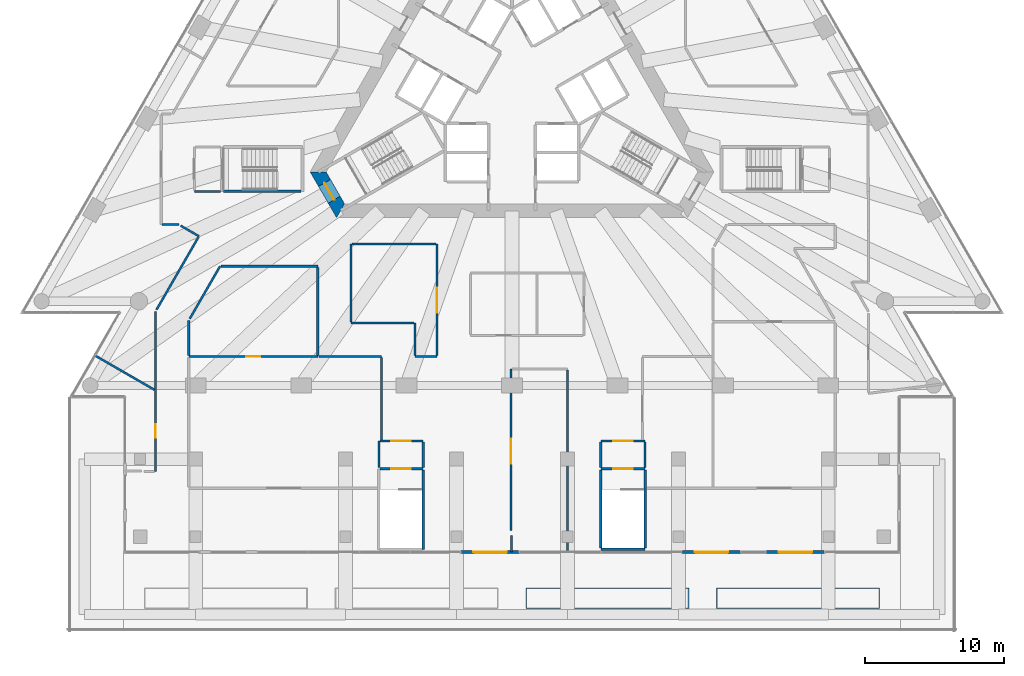
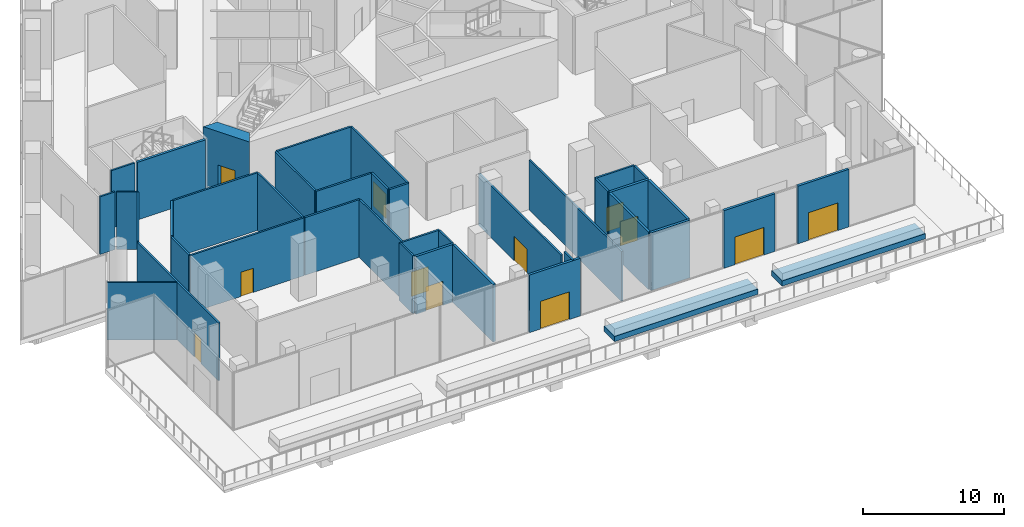
# One storey, part 21 of 29: 41 walls, 12 doors, 12 openings.
"""IFC4 building model written with IfcOpenShell, lengths in metres."""

from ifc_helpers import new_model, si_unit, direction, frame, frame_2d, origin, place, context, subcontext, project, spatial, polyline, rectangle, outline, extrude, material, layer, layer_set, layer_usage, type_object, element, fill, save


model = new_model("IFC4")

# Units and contexts
model_context = context("Model", 3, precision=1e-05, world=origin(), true_north=direction((0.0, 1.0)))
body_context = subcontext(model_context, "Body", "Model", "MODEL_VIEW")
ifc_project = project(units=[si_unit("LENGTHUNIT", "METRE"), si_unit("AREAUNIT", "SQUARE_METRE"), si_unit("VOLUMEUNIT", "CUBIC_METRE"), si_unit("PLANEANGLEUNIT", "RADIAN"), si_unit("MASSUNIT", "GRAM", prefix="KILO")], contexts=[model_context])

# Site, building, storey
site_placement = place(None, origin())
site = spatial("IfcSite", under=ifc_project, at=site_placement, CompositionType="ELEMENT")
building_placement = place(site_placement, origin())
building = spatial("IfcBuilding", under=site, at=building_placement, Name="Triada Interchange Tower", CompositionType="ELEMENT")
storey_placement = place(building_placement, frame((0.0, 0.0, 19.89990234375)))
storey = spatial("IfcBuildingStorey", under=building, at=storey_placement, Name="L03", CompositionType="ELEMENT", Elevation=19.89990234375)

# Wall
ifc_material_1 = material(Name="Concrete C30/37", Category="concrete")
ifc_layer_1 = layer(ifc_material_1, 0.199951171875)
ifc_layer_set_1 = layer_set([ifc_layer_1], Name="CORE WALL 200 REI 240")
wall_type_1 = type_object("IfcWallType", Name="CORE WALL 200 REI 240", PredefinedType="SOLIDWALL", material=ifc_layer_set_1)
wall_1_placement = place(storey_placement, frame((-20.800048828125, -7.60009765625, 0.0), z_axis=(0.0, 0.0, 1.0), x_axis=(1.0, 0.0, 0.0)))
element("IfcWall", 1, at=wall_1_placement, inside=storey, type_object=wall_type_1, Name="Wall L03 165", PredefinedType="SOLIDWALL", context=body_context, shape_type="SweptSolid", body=[
    extrude(rectangle(XDim=5.60009765625, YDim=0.199951171875, at=frame_2d((2.800048828125, 0.0))), origin(), (0.0, 0.0, 1.0), 5.0),
])

# Wall, opening, door
wall_2_placement = place(storey_placement, frame((-9.5, -27.60009765625, 0.0), z_axis=(0.0, 0.0, 1.0), x_axis=(1.0, 0.0, 0.0)))
wall_2 = element("IfcWall", 2, at=wall_2_placement, inside=storey, type_object=wall_type_1, Name="Wall L03 168", PredefinedType="SOLIDWALL", context=body_context, shape_type="SweptSolid", body=[
    extrude(rectangle(XDim=3.10009765625, YDim=0.199951171875, at=frame_2d((1.550048828125, 0.0))), origin(), (0.0, 0.0, 1.0), 5.0),
])
opening_1_placement = place(wall_2_placement, frame((0.800048828125, 0.0, 0.0)))
opening_1 = element("IfcOpeningElement", 3, at=opening_1_placement, cuts=wall_2, Name="Opening D03-17", PredefinedType="OPENING", context=body_context, shape_type="SweptSolid", body=[
    extrude(rectangle(XDim=1.39990234375, YDim=2.10009765625, at=frame_2d((0.699951171875, 1.050048828125))), frame((0.0, 0.10986328125, 0.0), z_axis=(0.0, -1.0, 0.0), x_axis=(1.0, 0.0, 0.0)), (0.0, 0.0, 1.0), 0.219970703125),
])
ifc_material_2 = material(Name="Steel S235 door leaf", Category="steel")
door_type_1 = type_object("IfcDoorType", Name="STAIR DOOR 1400 EI2 90-C5S200", OperationType="DOUBLE_DOOR_SINGLE_SWING", PredefinedType="DOOR", material=ifc_material_2)
door_1_placement = place(opening_1_placement, origin())
door_1 = element("IfcDoor", 4, at=door_1_placement, inside=storey, type_object=door_type_1, Name="Door D03-17 L03", OperationType="DOUBLE_DOOR_SINGLE_SWING", OverallHeight=2.10009765625, OverallWidth=1.39990234375, PredefinedType="DOOR", context=body_context, shape_type="SweptSolid", body=[
    extrude(rectangle(XDim=1.39990234375, YDim=2.10009765625, at=frame_2d((0.699951171875, 1.050048828125))), frame((0.0, 0.02490234375, 0.0), z_axis=(0.0, -1.0, 0.0), x_axis=(1.0, 0.0, 0.0)), (0.0, 0.0, 1.0), 0.050048828125),
])
fill(opening_1, door_1)

wall_3_placement = place(storey_placement, frame((6.39990234375, -27.60009765625, 0.0), z_axis=(0.0, 0.0, 1.0), x_axis=(1.0, 0.0, 0.0)))
wall_3 = element("IfcWall", 5, at=wall_3_placement, inside=storey, type_object=wall_type_1, Name="Wall L03 169", PredefinedType="SOLIDWALL", context=body_context, shape_type="SweptSolid", body=[
    extrude(rectangle(XDim=3.2001953125, YDim=0.199951171875, at=frame_2d((1.60009765625, 0.0))), origin(), (0.0, 0.0, 1.0), 5.0),
])
opening_2_placement = place(wall_3_placement, frame((0.89990234375, 0.0, 0.0)))
opening_2 = element("IfcOpeningElement", 6, at=opening_2_placement, cuts=wall_3, Name="Opening D03-15", PredefinedType="OPENING", context=body_context, shape_type="SweptSolid", body=[
    extrude(rectangle(XDim=1.39990234375, YDim=2.10009765625, at=frame_2d((0.699951171875, 1.050048828125))), frame((0.0, 0.10986328125, 0.0), z_axis=(0.0, -1.0, 0.0), x_axis=(1.0, 0.0, 0.0)), (0.0, 0.0, 1.0), 0.219970703125),
])
door_2_placement = place(opening_2_placement, origin())
door_2 = element("IfcDoor", 7, at=door_2_placement, inside=storey, type_object=door_type_1, Name="Door D03-15 L03", OperationType="DOUBLE_DOOR_SINGLE_SWING", OverallHeight=2.10009765625, OverallWidth=1.39990234375, PredefinedType="DOOR", context=body_context, shape_type="SweptSolid", body=[
    extrude(rectangle(XDim=1.39990234375, YDim=2.10009765625, at=frame_2d((0.699951171875, 1.050048828125))), frame((0.0, 0.02490234375, 0.0), z_axis=(0.0, -1.0, 0.0), x_axis=(1.0, 0.0, 0.0)), (0.0, 0.0, 1.0), 0.050048828125),
])
fill(opening_2, door_2)

# Walls
wall_4_placement = place(storey_placement, frame((-6.39990234375, -33.39990234375, 0.0), z_axis=(0.0, 0.0, 1.0), x_axis=(0.0, 1.0, 0.0)))
element("IfcWall", 8, at=wall_4_placement, inside=storey, type_object=wall_type_1, Name="Wall L03 170", PredefinedType="SOLIDWALL", context=body_context, shape_type="SweptSolid", body=[
    extrude(rectangle(XDim=5.699951171875, YDim=0.199951171875, at=frame_2d((2.85009765625, 0.0))), origin(), (0.0, 0.0, 1.0), 5.0),
])
wall_5_placement = place(storey_placement, frame((6.39990234375, -33.39990234375, 0.0), z_axis=(0.0, 0.0, 1.0), x_axis=(1.0, 0.0, 0.0)))
element("IfcWall", 9, at=wall_5_placement, inside=storey, type_object=wall_type_1, Name="Wall L03 172", PredefinedType="SOLIDWALL", context=body_context, shape_type="SweptSolid", body=[
    extrude(rectangle(XDim=3.2001953125, YDim=0.199951171875, at=frame_2d((1.60009765625, 0.0))), origin(), (0.0, 0.0, 1.0), 5.0),
])
for number, where, z_axis, x_axis, name in (
    (10, (6.39990234375, -33.300048828125, 0.0), (0.0, 0.0, 1.0), (0.0, 1.0, 0.0), "Wall L03 173"),
    (11, (9.60009765625, -33.300048828125, 0.0), (0.0, 0.0, 1.0), (0.0, 1.0, 0.0), "Wall L03 174"),
):
    element("IfcWall", number, at=place(storey_placement, frame(where, z_axis=z_axis, x_axis=x_axis)), inside=storey, type_object=wall_type_1, Name=name, PredefinedType="SOLIDWALL", context=body_context, shape_type="SweptSolid", body=[
        extrude(rectangle(XDim=5.60009765625, YDim=0.199951171875, at=frame_2d((2.800048828125, 0.0))), origin(), (0.0, 0.0, 1.0), 5.0),
    ])

# Wall, opening, door
ifc_material_3 = material(Name="Concrete C70/85", Category="concrete")
ifc_layer_2 = layer(ifc_material_3, 1.0)
ifc_layer_set_2 = layer_set([ifc_layer_2], Name="Core wall P 1000")
wall_type_2 = type_object("IfcWallType", Name="Core wall P 1000", PredefinedType="SHEAR", material=ifc_layer_set_2)
wall_6_placement = place(storey_placement, frame((-13.971923828125, -6.199951171875, -0.39990234375), z_axis=(0.0, 0.0, 1.0), x_axis=(0.500077567175, -0.865980615723, 0.0)))
wall_6 = element("IfcWall", 12, at=wall_6_placement, inside=storey, type_object=wall_type_2, Name="Core wall WP03 L03", PredefinedType="SHEAR", context=body_context, shape_type="SweptSolid", body=[
    extrude(outline(polyline([(-0.2890625, -0.5), (1.616455078125, -0.5), (3.52197265625, -0.5), (2.944091796875, 0.4990234375), (1.61669921875, 0.49951171875), (0.2890625, 0.5), (-0.2890625, -0.5)])), origin(), (0.0, 0.0, 1.0), 5.39990234375),
])
opening_3_placement = place(wall_6_placement, frame((0.9169921875, 0.0, 0.39990234375)))
opening_3 = element("IfcOpeningElement", 13, at=opening_3_placement, cuts=wall_6, Name="Opening D03-42", PredefinedType="OPENING", context=body_context, shape_type="SweptSolid", body=[
    extrude(rectangle(XDim=1.39990234375, YDim=2.10009765625, at=frame_2d((0.699951171875, 1.050048828125))), frame((0.0, 0.510009765625, 0.0), z_axis=(0.0, -1.0, 0.0), x_axis=(1.0, 0.0, 0.0)), (0.0, 0.0, 1.0), 1.02001953125),
])
door_3_placement = place(opening_3_placement, origin())
door_3 = element("IfcDoor", 14, at=door_3_placement, inside=storey, type_object=door_type_1, Name="Door D03-42 L03", OperationType="DOUBLE_DOOR_SINGLE_SWING", OverallHeight=2.10009765625, OverallWidth=1.39990234375, PredefinedType="DOOR", context=body_context, shape_type="SweptSolid", body=[
    extrude(rectangle(XDim=1.39990234375, YDim=2.10009765625, at=frame_2d((0.699951171875, 1.050048828125))), frame((0.0, 0.02490234375, 0.0), z_axis=(0.0, -1.0, 0.0), x_axis=(1.0, 0.0, 0.0)), (0.0, 0.0, 1.0), 0.050048828125),
])
fill(opening_3, door_3)

ifc_material_4 = material(Name="Cement board")
ifc_layer_3 = layer(ifc_material_4, 0.02001953125, Name="Cement board cladding")
ifc_material_5 = material(Name="Sheathing board")
ifc_layer_4 = layer(ifc_material_5, 0.014892578125, Name="Sheathing board")
ifc_material_6 = material(Name="Mineral wool")
ifc_layer_5 = layer(ifc_material_6, 0.14990234375, Name="Mineral wool between steel studs")
ifc_material_7 = material(Name="Gypsum board")
ifc_layer_6 = layer(ifc_material_7, 0.014892578125, Name="Plasterboard lining")
ifc_layer_set_3 = layer_set([ifc_layer_3, ifc_layer_4, ifc_layer_5, ifc_layer_6], Name="External wall 200")
ifc_layer_usage = layer_usage(ifc_layer_set_3, "AXIS2", "POSITIVE", -0.10009765625)
wall_type_3 = type_object("IfcWallType", Name="External wall 200", PredefinedType="ELEMENTEDWALL", material=ifc_layer_set_3)
wall_7_placement = place(storey_placement, frame((-3.675048828125, -33.60009765625, 0.0), z_axis=(0.0, 0.0, 1.0), x_axis=(1.0, 0.0, 0.0)))
wall_7 = element("IfcWall", 15, at=wall_7_placement, inside=storey, type_object=wall_type_3, material=ifc_layer_usage, Name="External wall L03 00.3", PredefinedType="ELEMENTEDWALL", context=body_context, shape_type="SweptSolid", body=[
    extrude(rectangle(XDim=4.199951171875, YDim=0.199951171875, at=frame_2d((2.10009765625, 0.0))), origin(), (0.0, 0.0, 1.0), 5.0),
])
opening_4_placement = place(wall_7_placement, frame((0.89990234375, 0.0, 0.0)))
opening_4 = element("IfcOpeningElement", 16, at=opening_4_placement, cuts=wall_7, Name="Opening DX45", PredefinedType="OPENING", context=body_context, shape_type="SweptSolid", body=[
    extrude(rectangle(XDim=2.39990234375, YDim=2.39990234375, at=frame_2d((1.199951171875, 1.199951171875))), frame((0.0, 0.10986328125, 0.0), z_axis=(0.0, -1.0, 0.0), x_axis=(1.0, 0.0, 0.0)), (0.0, 0.0, 1.0), 0.219970703125),
])
ifc_material_8 = material(Name="Aluminium and glass", Category="aluminium")
door_type_2 = type_object("IfcDoorType", Name="Terrace door double", OperationType="DOUBLE_DOOR_SINGLE_SWING", PredefinedType="DOOR", material=ifc_material_8)
door_4_placement = place(opening_4_placement, frame((2.39990234375, 0.0, 0.0), z_axis=(0.0, 0.0, 1.0), x_axis=(-1.0, 0.0, 0.0)))
door_4 = element("IfcDoor", 17, at=door_4_placement, inside=storey, type_object=door_type_2, Name="Door DX45 L03", OperationType="DOUBLE_DOOR_SINGLE_SWING", OverallHeight=2.39990234375, OverallWidth=2.39990234375, PredefinedType="DOOR", context=body_context, shape_type="SweptSolid", body=[
    extrude(rectangle(XDim=2.39990234375, YDim=2.39990234375, at=frame_2d((1.199951171875, 1.199951171875))), frame((0.0, 0.02490234375, 0.0), z_axis=(0.0, -1.0, 0.0), x_axis=(1.0, 0.0, 0.0)), (0.0, 0.0, 1.0), 0.050048828125),
])
fill(opening_4, door_4)

wall_8_placement = place(storey_placement, frame((12.27490234375, -33.60009765625, 0.0), z_axis=(0.0, 0.0, 1.0), x_axis=(1.0, 0.0, 0.0)))
wall_8 = element("IfcWall", 18, at=wall_8_placement, inside=storey, type_object=wall_type_3, material=ifc_layer_usage, Name="External wall L03 00.5", PredefinedType="ELEMENTEDWALL", context=body_context, shape_type="SweptSolid", body=[
    extrude(rectangle(XDim=4.2001953125, YDim=0.199951171875, at=frame_2d((2.10009765625, 0.0))), origin(), (0.0, 0.0, 1.0), 5.0),
])
opening_5_placement = place(wall_8_placement, frame((0.89990234375, 0.0, 0.0)))
opening_5 = element("IfcOpeningElement", 19, at=opening_5_placement, cuts=wall_8, Name="Opening DX46", PredefinedType="OPENING", context=body_context, shape_type="SweptSolid", body=[
    extrude(rectangle(XDim=2.39990234375, YDim=2.39990234375, at=frame_2d((1.199951171875, 1.199951171875))), frame((0.0, 0.10986328125, 0.0), z_axis=(0.0, -1.0, 0.0), x_axis=(1.0, 0.0, 0.0)), (0.0, 0.0, 1.0), 0.219970703125),
])
door_5_placement = place(opening_5_placement, frame((2.39990234375, 0.0, 0.0), z_axis=(0.0, 0.0, 1.0), x_axis=(-1.0, 0.0, 0.0)))
door_5 = element("IfcDoor", 20, at=door_5_placement, inside=storey, type_object=door_type_2, Name="Door DX46 L03", OperationType="DOUBLE_DOOR_SINGLE_SWING", OverallHeight=2.39990234375, OverallWidth=2.39990234375, PredefinedType="DOOR", context=body_context, shape_type="SweptSolid", body=[
    extrude(rectangle(XDim=2.39990234375, YDim=2.39990234375, at=frame_2d((1.199951171875, 1.199951171875))), frame((0.0, 0.02490234375, 0.0), z_axis=(0.0, -1.0, 0.0), x_axis=(1.0, 0.0, 0.0)), (0.0, 0.0, 1.0), 0.050048828125),
])
fill(opening_5, door_5)

wall_9_placement = place(storey_placement, frame((18.324951171875, -33.60009765625, 0.0), z_axis=(0.0, 0.0, 1.0), x_axis=(1.0, 0.0, 0.0)))
wall_9 = element("IfcWall", 21, at=wall_9_placement, inside=storey, type_object=wall_type_3, material=ifc_layer_usage, Name="External wall L03 00.7", PredefinedType="ELEMENTEDWALL", context=body_context, shape_type="SweptSolid", body=[
    extrude(rectangle(XDim=4.199951171875, YDim=0.199951171875, at=frame_2d((2.10009765625, 0.0))), origin(), (0.0, 0.0, 1.0), 5.0),
])
opening_6_placement = place(wall_9_placement, frame((0.89990234375, 0.0, 0.0)))
opening_6 = element("IfcOpeningElement", 22, at=opening_6_placement, cuts=wall_9, Name="Opening DX47", PredefinedType="OPENING", context=body_context, shape_type="SweptSolid", body=[
    extrude(rectangle(XDim=2.39990234375, YDim=2.39990234375, at=frame_2d((1.199951171875, 1.199951171875))), frame((0.0, 0.10986328125, 0.0), z_axis=(0.0, -1.0, 0.0), x_axis=(1.0, 0.0, 0.0)), (0.0, 0.0, 1.0), 0.219970703125),
])
door_6_placement = place(opening_6_placement, frame((2.39990234375, 0.0, 0.0), z_axis=(0.0, 0.0, 1.0), x_axis=(-1.0, 0.0, 0.0)))
door_6 = element("IfcDoor", 23, at=door_6_placement, inside=storey, type_object=door_type_2, Name="Door DX47 L03", OperationType="DOUBLE_DOOR_SINGLE_SWING", OverallHeight=2.39990234375, OverallWidth=2.39990234375, PredefinedType="DOOR", context=body_context, shape_type="SweptSolid", body=[
    extrude(rectangle(XDim=2.39990234375, YDim=2.39990234375, at=frame_2d((1.199951171875, 1.199951171875))), frame((0.0, 0.02490234375, 0.0), z_axis=(0.0, -1.0, 0.0), x_axis=(1.0, 0.0, 0.0)), (0.0, 0.0, 1.0), 0.050048828125),
])
fill(opening_6, door_6)

ifc_material_9 = material(Name="Gypsum board partition")
ifc_layer_7 = layer(ifc_material_9, 0.14990234375)
ifc_layer_set_4 = layer_set([ifc_layer_7], Name="PARTITION 150 EI 180")
wall_type_4 = type_object("IfcWallType", Name="PARTITION 150 EI 180", PredefinedType="PARTITIONING", material=ifc_layer_set_4)
wall_10_placement = place(storey_placement, frame((-23.300048828125, -19.5, 0.0), z_axis=(0.0, 0.0, 1.0), x_axis=(1.0, 0.0, 0.0)))
wall_10 = element("IfcWall", 24, at=wall_10_placement, inside=storey, type_object=wall_type_4, Name="Wall L03 1", PredefinedType="PARTITIONING", context=body_context, shape_type="SweptSolid", body=[
    extrude(rectangle(XDim=9.300048828125, YDim=0.14990234375, at=frame_2d((4.64990234375, 0.0))), origin(), (0.0, 0.0, 1.0), 5.0),
])
opening_7_placement = place(wall_10_placement, frame((4.14990234375, 0.0, 0.0)))
opening_7 = element("IfcOpeningElement", 25, at=opening_7_placement, cuts=wall_10, Name="Opening D03-20", PredefinedType="OPENING", context=body_context, shape_type="SweptSolid", body=[
    extrude(rectangle(XDim=1.0, YDim=2.10009765625, at=frame_2d((0.5, 1.050048828125))), frame((0.0, 0.0849609375, 0.0), z_axis=(0.0, -1.0, 0.0), x_axis=(1.0, 0.0, 0.0)), (0.0, 0.0, 1.0), 0.169921875),
])
door_type_3 = type_object("IfcDoorType", Name="ROOM DOOR 1000 EI2 45-C5S200", OperationType="NOTDEFINED", PredefinedType="DOOR", material=ifc_material_2)
door_7_placement = place(opening_7_placement, origin())
door_7 = element("IfcDoor", 26, at=door_7_placement, inside=storey, type_object=door_type_3, Name="Door D03-20 L03", OperationType="SINGLE_SWING_LEFT", OverallHeight=2.10009765625, OverallWidth=1.0, PredefinedType="DOOR", context=body_context, shape_type="SweptSolid", body=[
    extrude(rectangle(XDim=1.0, YDim=2.10009765625, at=frame_2d((0.5, 1.050048828125))), frame((0.0, 0.02490234375, 0.0), z_axis=(0.0, -1.0, 0.0), x_axis=(1.0, 0.0, 0.0)), (0.0, 0.0, 1.0), 0.050048828125),
])
fill(opening_7, door_7)

# Walls
wall_11_placement = place(storey_placement, frame((-23.300048828125, -19.425048828125, 0.0), z_axis=(0.0, 0.0, 1.0), x_axis=(0.0, 1.0, 0.0)))
element("IfcWall", 27, at=wall_11_placement, inside=storey, type_object=wall_type_4, Name="Wall L03 2", PredefinedType="PARTITIONING", context=body_context, shape_type="SweptSolid", body=[
    extrude(rectangle(XDim=2.51904296875, YDim=0.14990234375, at=frame_2d((1.259521484375, 0.0))), origin(), (0.0, 0.0, 1.0), 5.0),
])
wall_12_placement = place(storey_placement, frame((-23.22509765625, -16.777099609375, 0.0), z_axis=(0.0, 0.0, 1.0), x_axis=(0.499908216116, 0.86607838875, 0.0)))
element("IfcWall", 28, at=wall_12_placement, inside=storey, type_object=wall_type_4, Name="Wall L03 3", PredefinedType="PARTITIONING", context=body_context, shape_type="SweptSolid", body=[
    extrude(rectangle(XDim=4.361083984375, YDim=0.14990234375, at=frame_2d((2.1806640625, 0.0))), origin(), (0.0, 0.0, 1.0), 5.0),
])
wall_13_placement = place(storey_placement, frame((-20.9580078125, -13.0, 0.0), z_axis=(0.0, 0.0, 1.0), x_axis=(1.0, 0.0, 0.0)))
element("IfcWall", 29, at=wall_13_placement, inside=storey, type_object=wall_type_4, Name="Wall L03 4", PredefinedType="PARTITIONING", context=body_context, shape_type="SweptSolid", body=[
    extrude(rectangle(XDim=6.9580078125, YDim=0.14990234375, at=frame_2d((3.47900390625, 0.0))), origin(), (0.0, 0.0, 1.0), 5.0),
])
wall_14_placement = place(storey_placement, frame((-14.0, -19.425048828125, 0.0), z_axis=(0.0, 0.0, 1.0), x_axis=(0.0, 1.0, 0.0)))
element("IfcWall", 30, at=wall_14_placement, inside=storey, type_object=wall_type_4, Name="Wall L03 5", PredefinedType="PARTITIONING", context=body_context, shape_type="SweptSolid", body=[
    extrude(rectangle(XDim=6.35009765625, YDim=0.14990234375, at=frame_2d((3.175048828125, 0.0))), origin(), (0.0, 0.0, 1.0), 5.0),
])
for number, where, z_axis, x_axis, name in (
    (31, (-22.89990234375, -7.60009765625, 0.0), (0.0, 0.0, 1.0), (1.0, 0.0, 0.0), "Wall L03 6"),
    (32, (-9.60009765625, -27.5, 0.0), (0.0, 0.0, 1.0), (0.0, 1.0, 0.0), "Wall L03 11"),
):
    element("IfcWall", number, at=place(storey_placement, frame(where, z_axis=z_axis, x_axis=x_axis)), inside=storey, type_object=wall_type_4, Name=name, PredefinedType="PARTITIONING", context=body_context, shape_type="SweptSolid", body=[
        extrude(rectangle(XDim=1.89990234375, YDim=0.14990234375, at=frame_2d((0.949951171875, 0.0))), origin(), (0.0, 0.0, 1.0), 5.0),
    ])

# Wall, opening, door
wall_15_placement = place(storey_placement, frame((-9.52490234375, -25.60009765625, 0.0), z_axis=(0.0, 0.0, 1.0), x_axis=(1.0, 0.0, 0.0)))
wall_15 = element("IfcWall", 33, at=wall_15_placement, inside=storey, type_object=wall_type_4, Name="Wall L03 12", PredefinedType="PARTITIONING", context=body_context, shape_type="SweptSolid", body=[
    extrude(rectangle(XDim=3.125, YDim=0.14990234375, at=frame_2d((1.5625, 0.0))), origin(), (0.0, 0.0, 1.0), 5.0),
])
opening_8_placement = place(wall_15_placement, frame((0.824951171875, 0.0, 0.0)))
opening_8 = element("IfcOpeningElement", 34, at=opening_8_placement, cuts=wall_15, Name="Opening D03-18", PredefinedType="OPENING", context=body_context, shape_type="SweptSolid", body=[
    extrude(rectangle(XDim=1.39990234375, YDim=2.10009765625, at=frame_2d((0.699951171875, 1.050048828125))), frame((0.0, 0.0849609375, 0.0), z_axis=(0.0, -1.0, 0.0), x_axis=(1.0, 0.0, 0.0)), (0.0, 0.0, 1.0), 0.169921875),
])
door_8_placement = place(opening_8_placement, origin())
door_8 = element("IfcDoor", 35, at=door_8_placement, inside=storey, type_object=door_type_1, Name="Door D03-18 L03", OperationType="DOUBLE_DOOR_SINGLE_SWING", OverallHeight=2.10009765625, OverallWidth=1.39990234375, PredefinedType="DOOR", context=body_context, shape_type="SweptSolid", body=[
    extrude(rectangle(XDim=1.39990234375, YDim=2.10009765625, at=frame_2d((0.699951171875, 1.050048828125))), frame((0.0, 0.02490234375, 0.0), z_axis=(0.0, -1.0, 0.0), x_axis=(1.0, 0.0, 0.0)), (0.0, 0.0, 1.0), 0.050048828125),
])
fill(opening_8, door_8)

wall_16_placement = place(storey_placement, frame((6.39990234375, -25.60009765625, 0.0), z_axis=(0.0, 0.0, 1.0), x_axis=(1.0, 0.0, 0.0)))
wall_16 = element("IfcWall", 36, at=wall_16_placement, inside=storey, type_object=wall_type_4, Name="Wall L03 13", PredefinedType="PARTITIONING", context=body_context, shape_type="SweptSolid", body=[
    extrude(rectangle(XDim=3.2001953125, YDim=0.14990234375, at=frame_2d((1.60009765625, 0.0))), origin(), (0.0, 0.0, 1.0), 5.0),
])
opening_9_placement = place(wall_16_placement, frame((0.89990234375, 0.0, 0.0)))
opening_9 = element("IfcOpeningElement", 37, at=opening_9_placement, cuts=wall_16, Name="Opening D03-16", PredefinedType="OPENING", context=body_context, shape_type="SweptSolid", body=[
    extrude(rectangle(XDim=1.39990234375, YDim=2.10009765625, at=frame_2d((0.699951171875, 1.050048828125))), frame((0.0, 0.0849609375, 0.0), z_axis=(0.0, -1.0, 0.0), x_axis=(1.0, 0.0, 0.0)), (0.0, 0.0, 1.0), 0.169921875),
])
door_9_placement = place(opening_9_placement, origin())
door_9 = element("IfcDoor", 38, at=door_9_placement, inside=storey, type_object=door_type_1, Name="Door D03-16 L03", OperationType="DOUBLE_DOOR_SINGLE_SWING", OverallHeight=2.10009765625, OverallWidth=1.39990234375, PredefinedType="DOOR", context=body_context, shape_type="SweptSolid", body=[
    extrude(rectangle(XDim=1.39990234375, YDim=2.10009765625, at=frame_2d((0.699951171875, 1.050048828125))), frame((0.0, 0.02490234375, 0.0), z_axis=(0.0, -1.0, 0.0), x_axis=(1.0, 0.0, 0.0)), (0.0, 0.0, 1.0), 0.050048828125),
])
fill(opening_9, door_9)

# Walls
for number, where, z_axis, x_axis, name in (
    (39, (-6.39990234375, -27.5, 0.0), (0.0, 0.0, 1.0), (0.0, 1.0, 0.0), "Wall L03 14"),
    (40, (6.39990234375, -27.5, 0.0), (0.0, 0.0, 1.0), (0.0, 1.0, 0.0), "Wall L03 15"),
    (41, (9.60009765625, -27.5, 0.0), (0.0, 0.0, 1.0), (0.0, 1.0, 0.0), "Wall L03 16"),
):
    element("IfcWall", number, at=place(storey_placement, frame(where, z_axis=z_axis, x_axis=x_axis)), inside=storey, type_object=wall_type_4, Name=name, PredefinedType="PARTITIONING", context=body_context, shape_type="SweptSolid", body=[
        extrude(rectangle(XDim=1.824951171875, YDim=0.14990234375, at=frame_2d((0.91259765625, 0.0))), origin(), (0.0, 0.0, 1.0), 5.0),
    ])
ifc_layer_8 = layer(ifc_material_9, 0.14990234375)
ifc_layer_set_5 = layer_set([ifc_layer_8], Name="PARTITION 150 EI 90")
wall_type_5 = type_object("IfcWallType", Name="PARTITION 150 EI 90", PredefinedType="PARTITIONING", material=ifc_layer_set_5)
wall_17_placement = place(storey_placement, frame((-30.06591796875, -19.427001953125, 0.0), z_axis=(0.0, 0.0, 1.0), x_axis=(0.866057584811, -0.499944256685, 0.0)))
element("IfcWall", 42, at=wall_17_placement, inside=storey, type_object=wall_type_5, Name="Wall L03 25", PredefinedType="PARTITIONING", context=body_context, shape_type="SweptSolid", body=[
    extrude(rectangle(XDim=4.95458984375, YDim=0.14990234375, at=frame_2d((2.477294921875, 0.0))), origin(), (0.0, 0.0, 1.0), 5.0),
])

# Wall, opening, door
wall_18_placement = place(storey_placement, frame((-25.699951171875, -27.800048828125, 0.0), z_axis=(0.0, 0.0, 1.0), x_axis=(0.0, 1.0, 0.0)))
wall_18 = element("IfcWall", 43, at=wall_18_placement, inside=storey, type_object=wall_type_5, Name="Wall L03 26", PredefinedType="PARTITIONING", context=body_context, shape_type="SweptSolid", body=[
    extrude(rectangle(XDim=11.537109375, YDim=0.14990234375, at=frame_2d((5.7685546875, 0.0))), origin(), (0.0, 0.0, 1.0), 5.0),
])
opening_10_placement = place(wall_18_placement, frame((2.426025390625, 0.0, 0.0)))
opening_10 = element("IfcOpeningElement", 44, at=opening_10_placement, cuts=wall_18, Name="Opening D03-32", PredefinedType="OPENING", context=body_context, shape_type="SweptSolid", body=[
    extrude(rectangle(XDim=1.0, YDim=2.10009765625, at=frame_2d((0.5, 1.050048828125))), frame((0.0, 0.0849609375, 0.0), z_axis=(0.0, -1.0, 0.0), x_axis=(1.0, 0.0, 0.0)), (0.0, 0.0, 1.0), 0.169921875),
])
door_10_placement = place(opening_10_placement, origin())
door_10 = element("IfcDoor", 45, at=door_10_placement, inside=storey, type_object=door_type_3, Name="Door D03-32 L03", OperationType="SINGLE_SWING_RIGHT", OverallHeight=2.10009765625, OverallWidth=1.0, PredefinedType="DOOR", context=body_context, shape_type="SweptSolid", body=[
    extrude(rectangle(XDim=1.0, YDim=2.10009765625, at=frame_2d((0.5, 1.050048828125))), frame((0.0, 0.02490234375, 0.0), z_axis=(0.0, -1.0, 0.0), x_axis=(1.0, 0.0, 0.0)), (0.0, 0.0, 1.0), 0.050048828125),
])
fill(opening_10, door_10)

# Walls
wall_19_placement = place(storey_placement, frame((-25.22509765625, -10.0, 0.0), z_axis=(0.0, 0.0, 1.0), x_axis=(1.0, 0.0, 0.0)))
element("IfcWall", 46, at=wall_19_placement, inside=storey, type_object=wall_type_5, Name="Wall L03 33", PredefinedType="PARTITIONING", context=body_context, shape_type="SweptSolid", body=[
    extrude(rectangle(XDim=1.214111328125, YDim=0.14990234375, at=frame_2d((0.60693359375, 0.0))), origin(), (0.0, 0.0, 1.0), 5.0),
])
wall_20_placement = place(storey_placement, frame((-23.881103515625, -10.074951171875, 0.0), z_axis=(0.0, 0.0, 1.0), x_axis=(0.866107952761, -0.499856993713, 0.0)))
element("IfcWall", 47, at=wall_20_placement, inside=storey, type_object=wall_type_5, Name="Wall L03 34", PredefinedType="PARTITIONING", context=body_context, shape_type="SweptSolid", body=[
    extrude(rectangle(XDim=1.5185546875, YDim=0.14990234375, at=frame_2d((0.75927734375, 0.0))), origin(), (0.0, 0.0, 1.0), 5.0),
])
wall_21_placement = place(storey_placement, frame((-25.625, -16.134033203125, 0.0), z_axis=(0.0, 0.0, 1.0), x_axis=(0.499935724827, 0.866062509893, 0.0)))
element("IfcWall", 48, at=wall_21_placement, inside=storey, type_object=wall_type_5, Name="Wall L03 35", PredefinedType="PARTITIONING", context=body_context, shape_type="SweptSolid", body=[
    extrude(rectangle(XDim=6.044677734375, YDim=0.14990234375, at=frame_2d((3.0224609375, 0.0))), origin(), (0.0, 0.0, 1.0), 5.0),
])
wall_22_placement = place(storey_placement, frame((-13.927001953125, -19.5, 0.0), z_axis=(0.0, 0.0, 1.0), x_axis=(1.0, 0.0, 0.0)))
element("IfcWall", 49, at=wall_22_placement, inside=storey, type_object=wall_type_5, Name="Wall L03 48", PredefinedType="PARTITIONING", context=body_context, shape_type="SweptSolid", body=[
    extrude(rectangle(XDim=4.527099609375, YDim=0.14990234375, at=frame_2d((2.263671875, 0.0))), origin(), (0.0, 0.0, 1.0), 5.0),
])
wall_23_placement = place(storey_placement, frame((-7.0, -19.5, 0.0), z_axis=(0.0, 0.0, 1.0), x_axis=(1.0, 0.0, 0.0)))
element("IfcWall", 50, at=wall_23_placement, inside=storey, type_object=wall_type_5, Name="Wall L03 49", PredefinedType="PARTITIONING", context=body_context, shape_type="SweptSolid", body=[
    extrude(rectangle(XDim=1.60009765625, YDim=0.14990234375, at=frame_2d((0.800048828125, 0.0))), origin(), (0.0, 0.0, 1.0), 5.0),
])
wall_24_placement = place(storey_placement, frame((-9.39990234375, -25.52490234375, 0.0), z_axis=(0.0, 0.0, 1.0), x_axis=(0.0, 1.0, 0.0)))
element("IfcWall", 51, at=wall_24_placement, inside=storey, type_object=wall_type_5, Name="Wall L03 51", PredefinedType="PARTITIONING", context=body_context, shape_type="SweptSolid", body=[
    extrude(rectangle(XDim=5.949951171875, YDim=0.14990234375, at=frame_2d((2.97509765625, 0.0))), origin(), (0.0, 0.0, 1.0), 5.0),
])
wall_25_placement = place(storey_placement, frame((-0.02490234375, -33.60009765625, 0.0), z_axis=(0.0, 0.0, 1.0), x_axis=(0.0, 1.0, 0.0)))
element("IfcWall", 52, at=wall_25_placement, inside=storey, type_object=wall_type_5, Name="Wall L03 68", PredefinedType="PARTITIONING", context=body_context, shape_type="SweptSolid", body=[
    extrude(rectangle(XDim=1.2001953125, YDim=0.14990234375, at=frame_2d((0.60009765625, 0.0))), origin(), (0.0, 0.0, 1.0), 5.0),
])

# Wall, opening, door
wall_26_placement = place(storey_placement, frame((-0.074951171875, -32.055908203125, 0.0), z_axis=(0.0, 0.0, 1.0), x_axis=(0.0, 1.0, 0.0)))
wall_26 = element("IfcWall", 53, at=wall_26_placement, inside=storey, type_object=wall_type_5, Name="Wall L03 69", PredefinedType="PARTITIONING", context=body_context, shape_type="SweptSolid", body=[
    extrude(rectangle(XDim=11.656005859375, YDim=0.14990234375, at=frame_2d((5.828125, 0.0))), origin(), (0.0, 0.0, 1.0), 4.5),
])
opening_11_placement = place(wall_26_placement, frame((4.8349609375, 0.0, 0.0)))
opening_11 = element("IfcOpeningElement", 54, at=opening_11_placement, cuts=wall_26, Name="Opening D03-31", PredefinedType="OPENING", context=body_context, shape_type="SweptSolid", body=[
    extrude(rectangle(XDim=1.800048828125, YDim=2.10009765625, at=frame_2d((0.89990234375, 1.050048828125))), frame((0.0, 0.0849609375, 0.0), z_axis=(0.0, -1.0, 0.0), x_axis=(1.0, 0.0, 0.0)), (0.0, 0.0, 1.0), 0.169921875),
])
door_type_4 = type_object("IfcDoorType", Name="SHOP AND HALL ENTRANCE DOOR 1800 EI2 90-C5S200", OperationType="DOUBLE_DOOR_SINGLE_SWING", PredefinedType="DOOR", material=ifc_material_2)
door_11_placement = place(opening_11_placement, origin())
door_11 = element("IfcDoor", 55, at=door_11_placement, inside=storey, type_object=door_type_4, Name="Door D03-31 L03", OperationType="DOUBLE_DOOR_SINGLE_SWING", OverallHeight=2.10009765625, OverallWidth=1.800048828125, PredefinedType="DOOR", context=body_context, shape_type="SweptSolid", body=[
    extrude(rectangle(XDim=1.800048828125, YDim=2.10009765625, at=frame_2d((0.89990234375, 1.050048828125))), frame((0.0, 0.02490234375, 0.0), z_axis=(0.0, -1.0, 0.0), x_axis=(1.0, 0.0, 0.0)), (0.0, 0.0, 1.0), 0.050048828125),
])
fill(opening_11, door_11)

# Wall
wall_27_placement = place(storey_placement, frame((4.0, -33.60009765625, 0.0), z_axis=(0.0, 0.0, 1.0), x_axis=(0.0, 1.0, 0.0)))
element("IfcWall", 56, at=wall_27_placement, inside=storey, type_object=wall_type_5, Name="Wall L03 71", PredefinedType="PARTITIONING", context=body_context, shape_type="SweptSolid", body=[
    extrude(rectangle(XDim=13.125, YDim=0.14990234375, at=frame_2d((6.5625, 0.0))), origin(), (0.0, 0.0, 1.0), 4.300048828125),
])

# Wall, opening, door
wall_28_placement = place(storey_placement, frame((-5.39990234375, -19.425048828125, 0.0), z_axis=(0.0, 0.0, 1.0), x_axis=(0.0, 1.0, 0.0)))
wall_28 = element("IfcWall", 57, at=wall_28_placement, inside=storey, type_object=wall_type_5, Name="Wall L03 106", PredefinedType="PARTITIONING", context=body_context, shape_type="SweptSolid", body=[
    extrude(rectangle(XDim=8.025146484375, YDim=0.14990234375, at=frame_2d((4.0126953125, 0.0))), origin(), (0.0, 0.0, 1.0), 5.0),
])
opening_12_placement = place(wall_28_placement, frame((3.074951171875, 0.0, 0.0)))
opening_12 = element("IfcOpeningElement", 58, at=opening_12_placement, cuts=wall_28, Name="Opening D03-30", PredefinedType="OPENING", context=body_context, shape_type="SweptSolid", body=[
    extrude(rectangle(XDim=1.800048828125, YDim=2.10009765625, at=frame_2d((0.89990234375, 1.050048828125))), frame((0.0, 0.0849609375, 0.0), z_axis=(0.0, -1.0, 0.0), x_axis=(1.0, 0.0, 0.0)), (0.0, 0.0, 1.0), 0.169921875),
])
door_12_placement = place(opening_12_placement, origin())
door_12 = element("IfcDoor", 59, at=door_12_placement, inside=storey, type_object=door_type_4, Name="Door D03-30 L03", OperationType="DOUBLE_DOOR_SINGLE_SWING", OverallHeight=2.10009765625, OverallWidth=1.800048828125, PredefinedType="DOOR", context=body_context, shape_type="SweptSolid", body=[
    extrude(rectangle(XDim=1.800048828125, YDim=2.10009765625, at=frame_2d((0.89990234375, 1.050048828125))), frame((0.0, 0.02490234375, 0.0), z_axis=(0.0, -1.0, 0.0), x_axis=(1.0, 0.0, 0.0)), (0.0, 0.0, 1.0), 0.050048828125),
])
fill(opening_12, door_12)

# Walls
wall_29_placement = place(storey_placement, frame((-7.0, -19.425048828125, 0.0), z_axis=(0.0, 0.0, 1.0), x_axis=(0.0, 1.0, 0.0)))
element("IfcWall", 60, at=wall_29_placement, inside=storey, type_object=wall_type_5, Name="Wall L03 107", PredefinedType="PARTITIONING", context=body_context, shape_type="SweptSolid", body=[
    extrude(rectangle(XDim=2.324951171875, YDim=0.14990234375, at=frame_2d((1.16259765625, 0.0))), origin(), (0.0, 0.0, 1.0), 5.0),
])
wall_30_placement = place(storey_placement, frame((-11.60009765625, -17.10009765625, 0.0), z_axis=(0.0, 0.0, 1.0), x_axis=(1.0, 0.0, 0.0)))
element("IfcWall", 61, at=wall_30_placement, inside=storey, type_object=wall_type_5, Name="Wall L03 108", PredefinedType="PARTITIONING", context=body_context, shape_type="SweptSolid", body=[
    extrude(rectangle(XDim=4.525146484375, YDim=0.14990234375, at=frame_2d((2.2626953125, 0.0))), origin(), (0.0, 0.0, 1.0), 5.0),
])
wall_31_placement = place(storey_placement, frame((-11.60009765625, -17.02490234375, 0.0), z_axis=(0.0, 0.0, 1.0), x_axis=(0.0, 1.0, 0.0)))
element("IfcWall", 62, at=wall_31_placement, inside=storey, type_object=wall_type_5, Name="Wall L03 109", PredefinedType="PARTITIONING", context=body_context, shape_type="SweptSolid", body=[
    extrude(rectangle(XDim=5.625, YDim=0.14990234375, at=frame_2d((2.8125, 0.0))), origin(), (0.0, 0.0, 1.0), 5.0),
])
wall_32_placement = place(storey_placement, frame((-11.52490234375, -11.39990234375, 0.0), z_axis=(0.0, 0.0, 1.0), x_axis=(1.0, 0.0, 0.0)))
element("IfcWall", 63, at=wall_32_placement, inside=storey, type_object=wall_type_5, Name="Wall L03 110", PredefinedType="PARTITIONING", context=body_context, shape_type="SweptSolid", body=[
    extrude(rectangle(XDim=6.0498046875, YDim=0.14990234375, at=frame_2d((3.02490234375, 0.0))), origin(), (0.0, 0.0, 1.0), 5.0),
])
ifc_layer_9 = layer(ifc_material_1, 1.5)
ifc_layer_set_6 = layer_set([ifc_layer_9], Name="Planter bed 450")
wall_type_6 = type_object("IfcWallType", Name="Planter bed 450", PredefinedType="STANDARD", material=ifc_layer_set_6)
for number, where, z_axis, x_axis, name in (
    (64, (1.0, -36.929931640625, 0.0), (0.0, 0.0, 1.0), (1.0, 0.0, 0.0), "PLANTER L03 14"),
    (65, (14.75, -36.929931640625, 0.0), (0.0, 0.0, 1.0), (1.0, 0.0, 0.0), "PLANTER L03 15"),
):
    element("IfcWall", number, at=place(storey_placement, frame(where, z_axis=z_axis, x_axis=x_axis)), inside=storey, type_object=wall_type_6, Name=name, PredefinedType="STANDARD", context=body_context, shape_type="SweptSolid", body=[
        extrude(rectangle(XDim=11.75, YDim=1.5, at=frame_2d((5.875, 0.0))), origin(), (0.0, 0.0, 1.0), 0.4501953125),
    ])

save(model, "model.ifc")
